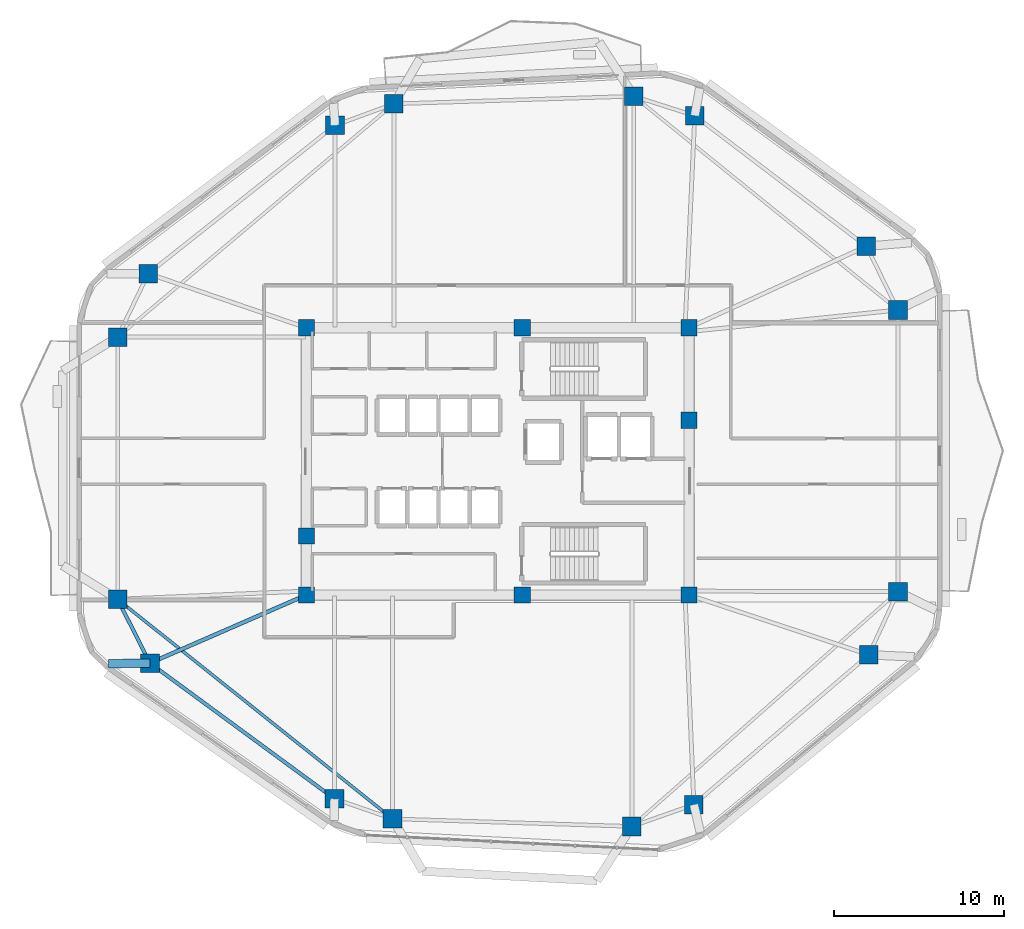
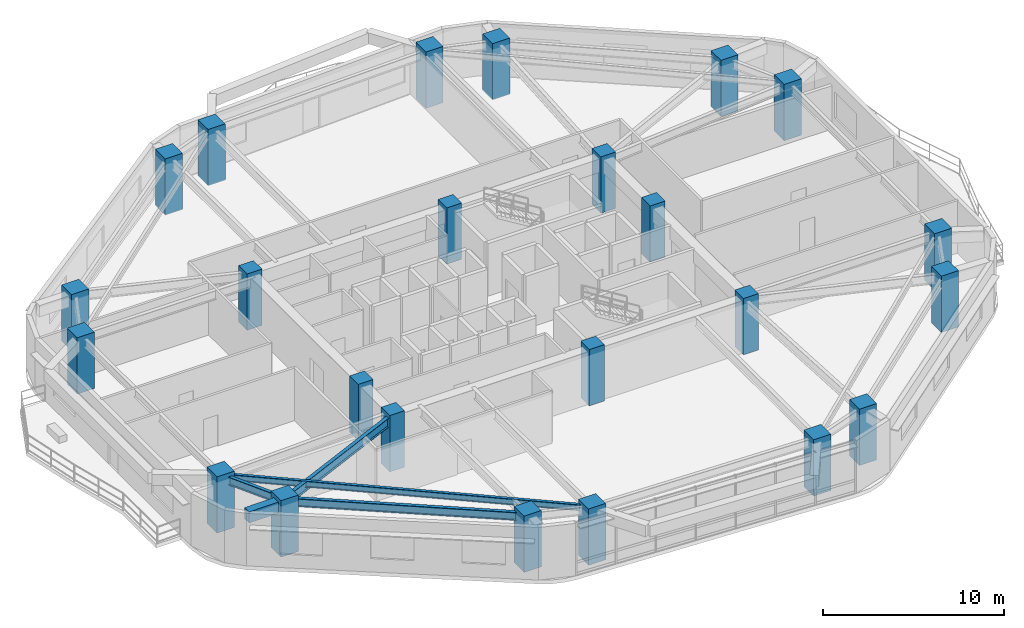
# One storey, part 1 of 14: 24 columns, 5 beams.
"""IFC4 building model written with IfcOpenShell, lengths in metres."""

from ifc_helpers import new_model, si_unit, direction, frame, origin, origin_2d, place, context, subcontext, project, spatial, rectangle, i_section, extrude, material, material_profile, profile_set, type_object, element, save


model = new_model("IFC4")

# Units and contexts
model_context = context("Model", 3, precision=1e-05, world=origin(), true_north=direction((0.0, 1.0)))
body_context = subcontext(model_context, "Body", "Model", "MODEL_VIEW")
ifc_project = project(units=[si_unit("LENGTHUNIT", "METRE"), si_unit("AREAUNIT", "SQUARE_METRE"), si_unit("VOLUMEUNIT", "CUBIC_METRE"), si_unit("PLANEANGLEUNIT", "RADIAN"), si_unit("MASSUNIT", "GRAM", prefix="KILO")], contexts=[model_context])

# Site, building, storey
site_placement = place(None, origin())
site = spatial("IfcSite", under=ifc_project, at=site_placement, CompositionType="ELEMENT")
building_placement = place(site_placement, origin())
building = spatial("IfcBuilding", under=site, at=building_placement, Name="Zulverin Broadcast Headquarters", CompositionType="ELEMENT")
storey_placement = place(building_placement, frame((0.0, 0.0, 140.199951171875)))
storey = spatial("IfcBuildingStorey", under=building, at=storey_placement, Name="L35", CompositionType="ELEMENT", Elevation=140.199951171875)

# Columns
ifc_material_1 = material(Name="Concrete C60/75", Category="concrete")
ifc_material_profile_1 = material_profile(ifc_material_1, rectangle(XDim=1.10009765625, YDim=1.10009765625, at=origin_2d()), Name="Concrete C60/75", Category="concrete")
ifc_profile_set_1 = profile_set([ifc_material_profile_1], Name="Concrete C60/75")
column_type_1 = type_object("IfcColumnType", Name="COL-RC-1100", PredefinedType="COLUMN", material=ifc_profile_set_1)
for number, where, z_axis, x_axis, name in (
    (1, (30.80859375, 4.12744140625, 0.0), (0.0, 0.0, 1.0), (1.0, 0.0, 0.0), "L35 Perimeter Column T01"),
    (2, (44.909912109375, 3.68017578125, 0.0), (0.0, 0.0, 1.0), (1.0, 0.0, 0.0), "L35 Perimeter Column T02"),
    (3, (48.569580078125, 4.967041015625, 0.0), (0.0, 0.0, 1.0), (1.0, 0.0, 0.0), "L35 Perimeter Column T03"),
    (4, (58.886962890625, 13.798095703125, 0.0), (0.0, 0.0, 1.0), (1.0, 0.0, 0.0), "L35 Perimeter Column T04"),
    (5, (60.60009765625, 17.519287109375, 0.0), (0.0, 0.0, 1.0), (1.0, 0.0, 0.0), "L35 Perimeter Column T05"),
    (6, (60.60009765625, 34.12158203125, 0.0), (0.0, 0.0, 1.0), (1.0, 0.0, 0.0), "L35 Perimeter Column T06"),
    (7, (58.738037109375, 37.877685546875, 0.0), (0.0, 0.0, 1.0), (1.0, 0.0, 0.0), "L35 Perimeter Column T07"),
    (8, (48.62158203125, 45.574951171875, 0.0), (0.0, 0.0, 1.0), (1.0, 0.0, 0.0), "L35 Perimeter Column T08"),
    (9, (45.027587890625, 46.7236328125, 0.0), (0.0, 0.0, 1.0), (1.0, 0.0, 0.0), "L35 Perimeter Column T09"),
    (10, (30.882080078125, 46.27490234375, 0.0), (0.0, 0.0, 1.0), (1.0, 0.0, 0.0), "L35 Perimeter Column T10"),
    (11, (27.416259765625, 45.00439453125, 0.0), (0.0, 0.0, 1.0), (1.0, 0.0, 0.0), "L35 Perimeter Column T11"),
    (12, (16.40869140625, 36.26806640625, 0.0), (0.0, 0.0, 1.0), (1.0, 0.0, 0.0), "L35 Perimeter Column T12"),
    (13, (14.60009765625, 32.523193359375, 0.0), (0.0, 0.0, 1.0), (1.0, 0.0, 0.0), "L35 Perimeter Column T13"),
    (14, (14.60009765625, 17.072021484375, 0.0), (0.0, 0.0, 1.0), (1.0, 0.0, 0.0), "L35 Perimeter Column T14"),
    (15, (16.50537109375, 13.306884765625, 0.0), (0.0, 0.0, 1.0), (1.0, 0.0, 0.0), "L35 Perimeter Column T15"),
    (16, (27.38720703125, 5.309814453125, 0.0), (0.0, 0.0, 1.0), (1.0, 0.0, 0.0), "L35 Perimeter Column T16"),
):
    element("IfcColumn", number, at=place(storey_placement, frame(where, z_axis=z_axis, x_axis=x_axis)), inside=storey, type_object=column_type_1, Name=name, PredefinedType="COLUMN", context=body_context, shape_type="SweptSolid", body=[
        extrude(rectangle(XDim=1.10009765625, YDim=1.10009765625, at=origin_2d()), origin(), (0.0, 0.0, 1.0), 3.800048828125),
    ])
ifc_material_2 = material(Name="Concrete C50/60", Category="concrete")
ifc_material_profile_2 = material_profile(ifc_material_2, rectangle(XDim=0.949951171875, YDim=0.949951171875, at=origin_2d()), Name="Concrete C50/60", Category="concrete")
ifc_profile_set_2 = profile_set([ifc_material_profile_2], Name="Concrete C50/60")
column_type_2 = type_object("IfcColumnType", Name="PIL-RC-950", PredefinedType="PILASTER", material=ifc_profile_set_2)
for number, where, z_axis, x_axis, name in (
    (17, (25.72509765625, 17.324951171875, 0.0), (0.0, 0.0, 1.0), (1.0, 0.0, 0.0), "L35 Core Pilaster K01"),
    (18, (38.449951171875, 17.324951171875, 0.0), (0.0, 0.0, 1.0), (1.0, 0.0, 0.0), "L35 Core Pilaster K02"),
    (19, (48.27490234375, 17.324951171875, 0.0), (0.0, 0.0, 1.0), (1.0, 0.0, 0.0), "L35 Core Pilaster K03"),
    (20, (48.27490234375, 27.6201171875, 0.0), (0.0, 0.0, 1.0), (1.0, 0.0, 0.0), "L35 Core Pilaster K04"),
    (21, (48.27490234375, 33.074951171875, 0.0), (0.0, 0.0, 1.0), (1.0, 0.0, 0.0), "L35 Core Pilaster K05"),
    (22, (38.449951171875, 33.074951171875, 0.0), (0.0, 0.0, 1.0), (1.0, 0.0, 0.0), "L35 Core Pilaster K06"),
    (23, (25.72509765625, 33.074951171875, 0.0), (0.0, 0.0, 1.0), (1.0, 0.0, 0.0), "L35 Core Pilaster K07"),
    (24, (25.72509765625, 20.800048828125, 0.0), (0.0, 0.0, 1.0), (1.0, 0.0, 0.0), "L35 Core Pilaster K08"),
):
    element("IfcColumn", number, at=place(storey_placement, frame(where, z_axis=z_axis, x_axis=x_axis)), inside=storey, type_object=column_type_2, Name=name, PredefinedType="PILASTER", context=body_context, shape_type="SweptSolid", body=[
        extrude(rectangle(XDim=0.949951171875, YDim=0.949951171875, at=origin_2d()), origin(), (0.0, 0.0, 1.0), 3.800048828125),
    ])

# Beams
ifc_material_3 = material(Name="Concrete C40/50", Category="concrete")
ifc_material_profile_3 = material_profile(ifc_material_3, rectangle(XDim=0.5, YDim=0.75, at=origin_2d()), Name="Concrete C40/50", Category="concrete")
ifc_profile_set_3 = profile_set([ifc_material_profile_3], Name="Concrete C40/50")
beam_type_1 = type_object("IfcBeamType", Name="BM-RC-500x750", PredefinedType="BEAM", material=ifc_profile_set_3)
beam_1_placement = place(storey_placement, frame((16.50537109375, 13.306884765625, 3.1650390625), z_axis=(-0.999905564875, -0.013742682824, 0.0), x_axis=(0.013742682824, -0.999905564875, 0.0)))
element("IfcBeam", 25, at=beam_1_placement, inside=storey, type_object=beam_type_1, Name="L36 Plate Overhang Back-Spanned Beam OVR-15", PredefinedType="BEAM", context=body_context, shape_type="SweptSolid", body=[
    extrude(rectangle(XDim=0.5, YDim=0.75, at=origin_2d()), origin(), (0.0, 0.0, 1.0), 2.433837890625),
])
ifc_material_4 = material(Name="Structural steel S355JR", Category="steel")
ifc_material_profile_4 = material_profile(ifc_material_4, i_section(OverallWidth=0.179443359375, OverallDepth=0.412841796875, WebThickness=0.009521484375, FlangeThickness=0.01611328125, at=origin_2d()), Name="Structural steel S355JR", Category="steel")
ifc_profile_set_4 = profile_set([ifc_material_profile_4], Name="Structural steel S355JR")
beam_type_2 = type_object("IfcBeamType", Name="BM-UB-406", PredefinedType="JOIST", material=ifc_profile_set_4)
beam_2_placement = place(storey_placement, frame((14.60009765625, 17.072021484375, 3.333740234375), z_axis=(0.781390996609, -0.624041753746, 0.0), x_axis=(0.624041753746, 0.781390996609, 0.0)))
element("IfcBeam", 26, at=beam_2_placement, inside=storey, type_object=beam_type_2, Name="L35 Chordal Floor Joist J-04", PredefinedType="JOIST", context=body_context, shape_type="SweptSolid", body=[
    extrude(i_section(OverallWidth=0.179443359375, OverallDepth=0.412841796875, WebThickness=0.009521484375, FlangeThickness=0.01611328125, at=origin_2d()), origin(), (0.0, 0.0, 1.0), 20.7431640625),
])
ifc_material_profile_5 = material_profile(ifc_material_4, i_section(OverallWidth=0.2119140625, OverallDepth=0.54443359375, WebThickness=0.0126953125, FlangeThickness=0.021240234375, at=origin_2d()), Name="Structural steel S355JR", Category="steel")
ifc_profile_set_5 = profile_set([ifc_material_profile_5], Name="Structural steel S355JR")
beam_type_3 = type_object("IfcBeamType", Name="BM-UB-533", PredefinedType="SPANDREL", material=ifc_profile_set_5)
beam_3_placement = place(storey_placement, frame((14.60009765625, 17.072021484375, 3.267822265625), z_axis=(0.451512947895, -0.892264567201, 0.0), x_axis=(0.892264567201, 0.451512947895, 0.0)))
element("IfcBeam", 27, at=beam_3_placement, inside=storey, type_object=beam_type_3, Name="L35 Perimeter Spandrel Beam SP-14", PredefinedType="SPANDREL", context=body_context, shape_type="SweptSolid", body=[
    extrude(i_section(OverallWidth=0.2119140625, OverallDepth=0.54443359375, WebThickness=0.0126953125, FlangeThickness=0.021240234375, at=origin_2d()), origin(), (0.0, 0.0, 1.0), 4.2197265625),
])
beam_4_placement = place(storey_placement, frame((16.50537109375, 13.306884765625, 3.267822265625), z_axis=(0.805802234061, -0.592184734338, 0.0), x_axis=(0.592184734338, 0.805802234061, 0.0)))
element("IfcBeam", 28, at=beam_4_placement, inside=storey, type_object=beam_type_3, Name="L35 Perimeter Spandrel Beam SP-15", PredefinedType="SPANDREL", context=body_context, shape_type="SweptSolid", body=[
    extrude(i_section(OverallWidth=0.2119140625, OverallDepth=0.54443359375, WebThickness=0.0126953125, FlangeThickness=0.021240234375, at=origin_2d()), origin(), (0.0, 0.0, 1.0), 13.50439453125),
])
ifc_material_profile_6 = material_profile(ifc_material_4, i_section(OverallWidth=0.230224609375, OverallDepth=0.6171875, WebThickness=0.01318359375, FlangeThickness=0.022216796875, at=origin_2d()), Name="Structural steel S355JR", Category="steel")
ifc_profile_set_6 = profile_set([ifc_material_profile_6], Name="Structural steel S355JR")
beam_type_4 = type_object("IfcBeamType", Name="BM-UB-610", PredefinedType="BEAM", material=ifc_profile_set_6)
beam_5_placement = place(storey_placement, frame((25.72509765625, 17.324951171875, 3.2314453125), z_axis=(-0.916724690104, -0.39951951461, 0.0), x_axis=(0.39951951461, -0.916724690104, 0.0)))
element("IfcBeam", 29, at=beam_5_placement, inside=storey, type_object=beam_type_4, Name="L35 Radial Primary Floor Beam RB-15", PredefinedType="BEAM", context=body_context, shape_type="SweptSolid", body=[
    extrude(i_section(OverallWidth=0.230224609375, OverallDepth=0.6171875, WebThickness=0.01318359375, FlangeThickness=0.022216796875, at=origin_2d()), origin(), (0.0, 0.0, 1.0), 10.05712890625),
])

save(model, "model.ifc")
